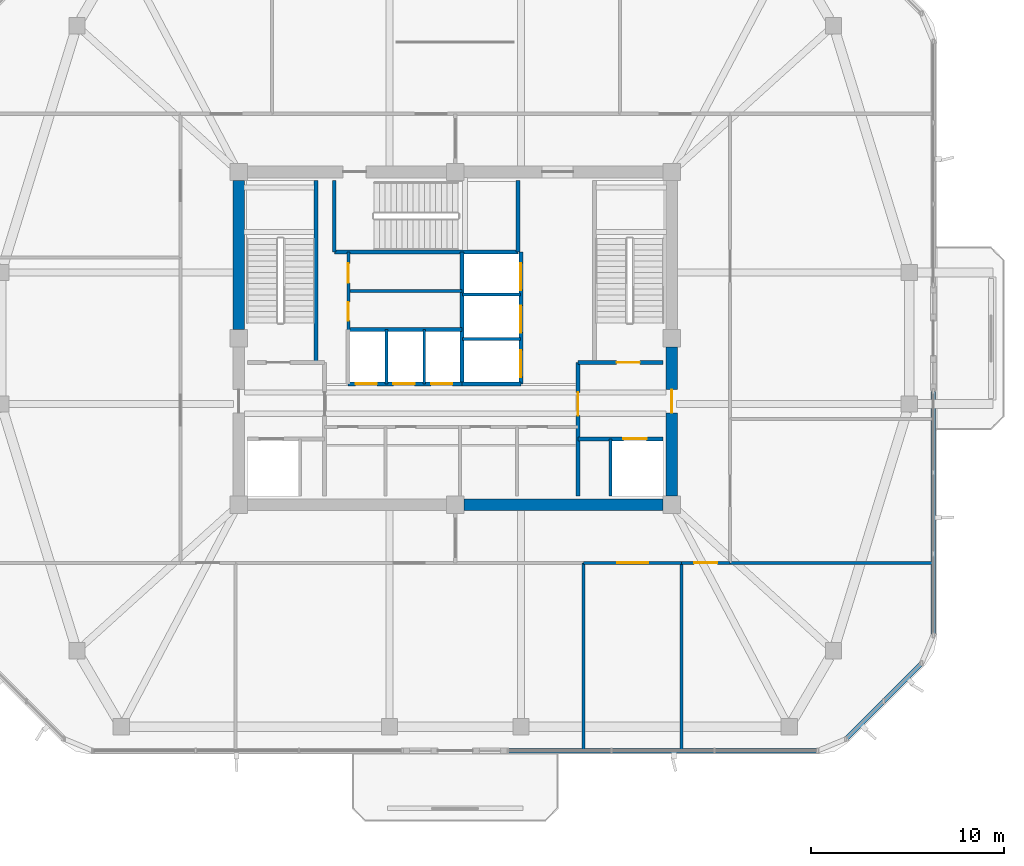
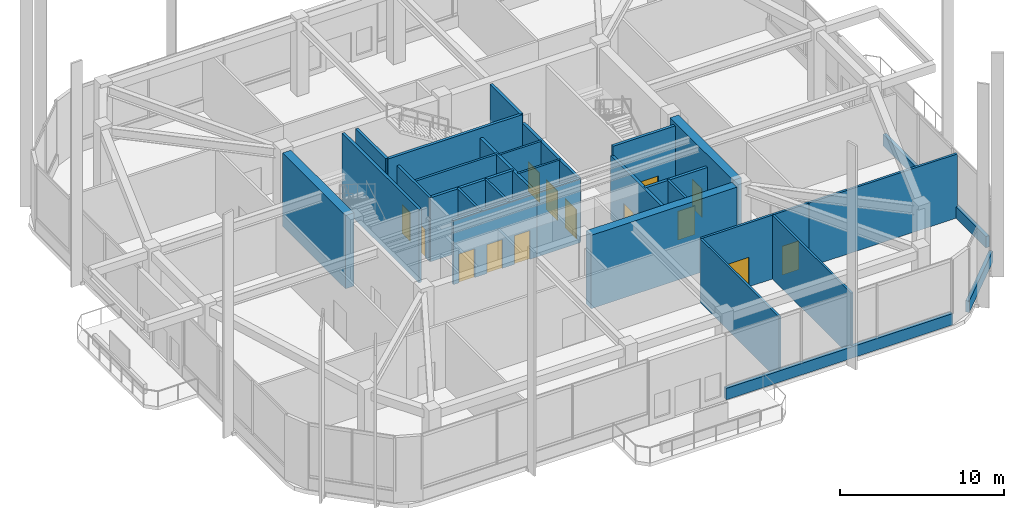
# One storey, part 8 of 14: 30 walls, 14 doors, 14 openings.
"""IFC4 building model written with IfcOpenShell, lengths in metres."""

from ifc_helpers import new_model, si_unit, derived_unit, direction, frame, frame_2d, origin, place, context, subcontext, project, spatial, rectangle, extrude, material, layer, layer_set, type_object, element, fill, save


model = new_model("IFC4")

# Units and contexts
model_context = context("Model", 3, precision=1e-05, world=origin(), true_north=direction((0.0, 1.0)))
body_context = subcontext(model_context, "Body", "Model", "MODEL_VIEW")
ifc_project = project(units=[si_unit("LENGTHUNIT", "METRE"), si_unit("AREAUNIT", "SQUARE_METRE"), si_unit("VOLUMEUNIT", "CUBIC_METRE"), si_unit("PLANEANGLEUNIT", "RADIAN"), si_unit("MASSUNIT", "GRAM", prefix="KILO"), derived_unit("THERMALTRANSMITTANCEUNIT", [(si_unit("POWERUNIT", "WATT"), 1), (si_unit("LENGTHUNIT", "METRE"), -2), (si_unit("THERMODYNAMICTEMPERATUREUNIT", "KELVIN"), -1)])], contexts=[model_context])

# Site, building, storey
site_placement = place(None, origin())
site = spatial("IfcSite", under=ifc_project, at=site_placement, CompositionType="ELEMENT")
building_placement = place(site_placement, origin())
building = spatial("IfcBuilding", under=site, at=building_placement, Name="Koralith Skygarden Medical Center", CompositionType="ELEMENT")
storey_placement = place(building_placement, frame((0.0, 0.0, 237.06005859375)))
storey = spatial("IfcBuildingStorey", under=building, at=storey_placement, Name="L61", CompositionType="ELEMENT", Elevation=237.06005859375)

# Walls
ifc_material_1 = material(Name="Gypsum Board Partition")
ifc_layer_1 = layer(ifc_material_1, 0.14990234375)
ifc_layer_set_1 = layer_set([ifc_layer_1], Name="Gypsum Board Partition")
wall_type_1 = type_object("IfcWallType", Name="Clinical Acoustic Partition 150", PredefinedType="PARTITIONING", material=ifc_layer_set_1)
for number, where, z_axis, x_axis, name in (
    (1, (43.6298828125, 14.2900390625, 0.0), (0.0, 0.0, 1.0), (0.0, -1.0, 0.0), "L61 Clinical Acoustic Partition 150 W-AMPART-L61-S-2"),
    (2, (48.7099609375, 14.2900390625, 0.0), (0.0, 0.0, 1.0), (0.0, -1.0, 0.0), "L61 Clinical Acoustic Partition 150 W-AMPART-L61-S-3"),
):
    element("IfcWall", number, at=place(storey_placement, frame(where, z_axis=z_axis, x_axis=x_axis)), inside=storey, type_object=wall_type_1, Name=name, PredefinedType="PARTITIONING", context=body_context, shape_type="SweptSolid", body=[
        extrude(rectangle(XDim=9.68994140625, YDim=0.14990234375, at=frame_2d((4.844970703125, 0.0))), origin(), (0.0, 0.0, 1.0), 4.77001953125),
    ])
ifc_layer_2 = layer(ifc_material_1, 0.1650390625)
ifc_layer_set_2 = layer_set([ifc_layer_2], Name="Gypsum Board Partition")
wall_type_2 = type_object("IfcWallType", Name="Clinical Corridor Partition 165", PredefinedType="PARTITIONING", material=ifc_layer_set_2)
wall_1_placement = place(storey_placement, frame((51.2099609375, 14.2900390625, 0.0), z_axis=(0.0, 0.0, 1.0), x_axis=(1.0, 0.0, 0.0)))
element("IfcWall", 3, at=wall_1_placement, inside=storey, type_object=wall_type_2, Name="L61 Clinical Corridor Partition 165 W-WB-L61-SE", PredefinedType="PARTITIONING", context=body_context, shape_type="SweptSolid", body=[
    extrude(rectangle(XDim=10.489990234375, YDim=0.1650390625, at=frame_2d((5.2451171875, 0.0))), origin(), (0.0, 0.0, 1.0), 4.77001953125),
])

# Wall, opening, door
wall_2_placement = place(storey_placement, frame((43.6298828125, 14.2900390625, 0.0), z_axis=(0.0, 0.0, 1.0), x_axis=(1.0, 0.0, 0.0)))
wall_2 = element("IfcWall", 4, at=wall_2_placement, inside=storey, type_object=wall_type_2, Name="L61 Clinical Corridor Partition 165 W-AMCOR-L61-S-3", PredefinedType="PARTITIONING", context=body_context, shape_type="SweptSolid", body=[
    extrude(rectangle(XDim=5.080078125, YDim=0.1650390625, at=frame_2d((2.5400390625, 0.0))), origin(), (0.0, 0.0, 1.0), 4.77001953125),
])
opening_1_placement = place(wall_2_placement, frame((1.739990234375, 0.0, 0.0)))
opening_1 = element("IfcOpeningElement", 5, at=opening_1_placement, cuts=wall_2, Name="Opening D-DBL", PredefinedType="OPENING", context=body_context, shape_type="SweptSolid", body=[
    extrude(rectangle(XDim=1.60009765625, YDim=2.199951171875, at=frame_2d((0.800048828125, 1.10009765625))), frame((0.0, 0.092529296875, 0.0), z_axis=(0.0, -1.0, 0.0), x_axis=(1.0, 0.0, 0.0)), (0.0, 0.0, 1.0), 0.18505859375),
])
ifc_material_2 = material(Name="Aluminium 6063-T6", Category="aluminium")
door_type_1 = type_object("IfcDoorType", Name="Double Clinical Suite Door D-DBL 1600", OperationType="NOTDEFINED", PredefinedType="DOOR", material=ifc_material_2)
door_1_placement = place(opening_1_placement, frame((1.60009765625, 0.0, 0.0), z_axis=(0.0, 0.0, 1.0), x_axis=(-1.0, 0.0, 0.0)))
door_1 = element("IfcDoor", 6, at=door_1_placement, inside=storey, type_object=door_type_1, Name="L61 Palliative Family Huddle Room Door", OperationType="DOUBLE_DOOR_SINGLE_SWING", OverallHeight=2.199951171875, OverallWidth=1.60009765625, PredefinedType="DOOR", context=body_context, shape_type="SweptSolid", body=[
    extrude(rectangle(XDim=1.60009765625, YDim=2.199951171875, at=frame_2d((0.800048828125, 1.10009765625))), frame((0.0, 0.02490234375, 0.0), z_axis=(0.0, -1.0, 0.0), x_axis=(1.0, 0.0, 0.0)), (0.0, 0.0, 1.0), 0.050048828125),
])
fill(opening_1, door_1)

wall_3_placement = place(storey_placement, frame((48.7099609375, 14.2900390625, 0.0), z_axis=(0.0, 0.0, 1.0), x_axis=(1.0, 0.0, 0.0)))
wall_3 = element("IfcWall", 7, at=wall_3_placement, inside=storey, type_object=wall_type_2, Name="L61 Clinical Corridor Partition 165 W-AMCOR-L61-S-4", PredefinedType="PARTITIONING", context=body_context, shape_type="SweptSolid", body=[
    extrude(rectangle(XDim=2.5, YDim=0.1650390625, at=frame_2d((1.25, 0.0))), origin(), (0.0, 0.0, 1.0), 4.77001953125),
])
opening_2_placement = place(wall_3_placement, frame((0.64990234375, 0.0, 0.0)))
opening_2 = element("IfcOpeningElement", 8, at=opening_2_placement, cuts=wall_3, Name="Opening D-CLN", PredefinedType="OPENING", context=body_context, shape_type="SweptSolid", body=[
    extrude(rectangle(XDim=1.199951171875, YDim=2.14990234375, at=frame_2d((0.60009765625, 1.074951171875))), frame((0.0, 0.092529296875, 0.0), z_axis=(0.0, -1.0, 0.0), x_axis=(1.0, 0.0, 0.0)), (0.0, 0.0, 1.0), 0.18505859375),
])
door_type_2 = type_object("IfcDoorType", Name="Clinical Corridor Door D-CLN 1200", OperationType="NOTDEFINED", PredefinedType="DOOR", material=ifc_material_2)
door_2_placement = place(opening_2_placement, frame((1.199951171875, 0.0, 0.0), z_axis=(0.0, 0.0, 1.0), x_axis=(-1.0, 0.0, 0.0)))
door_2 = element("IfcDoor", 9, at=door_2_placement, inside=storey, type_object=door_type_2, Name="L61 Public Accessible Restroom WC Door", OperationType="SINGLE_SWING_LEFT", OverallHeight=2.14990234375, OverallWidth=1.199951171875, PredefinedType="DOOR", context=body_context, shape_type="SweptSolid", body=[
    extrude(rectangle(XDim=1.199951171875, YDim=2.14990234375, at=frame_2d((0.60009765625, 1.074951171875))), frame((0.0, 0.02490234375, 0.0), z_axis=(0.0, -1.0, 0.0), x_axis=(1.0, 0.0, 0.0)), (0.0, 0.0, 1.0), 0.050048828125),
])
fill(opening_2, door_2)

ifc_layer_3 = layer(ifc_material_1, 0.199951171875)
ifc_layer_set_3 = layer_set([ifc_layer_3], Name="Gypsum Board Partition")
wall_type_3 = type_object("IfcWallType", Name="Fire Shaft Wall 200", PredefinedType="SOLIDWALL", material=ifc_layer_set_3)
wall_4_placement = place(storey_placement, frame((43.35009765625, 20.699951171875, 0.0), z_axis=(0.0, 0.0, 1.0), x_axis=(1.0, 0.0, 0.0)))
wall_4 = element("IfcWall", 10, at=wall_4_placement, inside=storey, type_object=wall_type_3, Name="L61 Fire Shaft Wall 200 W-CORE-L61-FF2-N", PredefinedType="SOLIDWALL", context=body_context, shape_type="SweptSolid", body=[
    extrude(rectangle(XDim=4.39990234375, YDim=0.199951171875, at=frame_2d((2.199951171875, 0.0))), origin(), (0.0, 0.0, 1.0), 4.77001953125),
])
opening_3_placement = place(wall_4_placement, frame((2.35009765625, 0.0, 0.0)))
opening_3 = element("IfcOpeningElement", 11, at=opening_3_placement, cuts=wall_4, Name="Opening LD-FF", PredefinedType="OPENING", context=body_context, shape_type="SweptSolid", body=[
    extrude(rectangle(XDim=1.199951171875, YDim=2.14990234375, at=frame_2d((0.60009765625, 1.074951171875))), frame((0.0, 0.10986328125, 0.0), z_axis=(0.0, -1.0, 0.0), x_axis=(1.0, 0.0, 0.0)), (0.0, 0.0, 1.0), 0.219970703125),
])
ifc_material_3 = material(Name="Steel ASTM A500 Grade C", Category="steel")
door_type_3 = type_object("IfcDoorType", Name="Fire Lift Sliding Landing Door LD-FF 1200", OperationType="NOTDEFINED", PredefinedType="DOOR", material=ifc_material_3)
door_3_placement = place(opening_3_placement, origin())
door_3 = element("IfcDoor", 12, at=door_3_placement, inside=storey, type_object=door_type_3, Name="L61 Fire Service Elevator FF2 Landing Door", OperationType="SLIDING_TO_RIGHT", OverallHeight=2.14990234375, OverallWidth=1.199951171875, PredefinedType="DOOR", context=body_context, shape_type="SweptSolid", body=[
    extrude(rectangle(XDim=1.199951171875, YDim=2.14990234375, at=frame_2d((0.60009765625, 1.074951171875))), frame((0.0, 0.02490234375, 0.0), z_axis=(0.0, -1.0, 0.0), x_axis=(1.0, 0.0, 0.0)), (0.0, 0.0, 1.0), 0.050048828125),
])
fill(opening_3, door_3)

wall_5_placement = place(storey_placement, frame((43.35009765625, 17.75, 0.0), z_axis=(0.0, 0.0, 1.0), x_axis=(0.0, 1.0, 0.0)))
wall_5 = element("IfcWall", 13, at=wall_5_placement, inside=storey, type_object=wall_type_3, Name="L61 Fire Shaft Wall 200 W-CORE-L61-FSAEE-W", PredefinedType="SOLIDWALL", context=body_context, shape_type="SweptSolid", body=[
    extrude(rectangle(XDim=6.89990234375, YDim=0.199951171875, at=frame_2d((3.449951171875, 0.0))), origin(), (0.0, 0.0, 1.0), 4.77001953125),
])
opening_4_placement = place(wall_5_placement, frame((4.14990234375, 0.0, 0.0)))
opening_4 = element("IfcOpeningElement", 14, at=opening_4_placement, cuts=wall_5, Name="Opening D-ST60", PredefinedType="OPENING", context=body_context, shape_type="SweptSolid", body=[
    extrude(rectangle(XDim=1.199951171875, YDim=2.14990234375, at=frame_2d((0.60009765625, 1.074951171875))), frame((0.0, 0.10986328125, 0.0), z_axis=(0.0, -1.0, 0.0), x_axis=(1.0, 0.0, 0.0)), (0.0, 0.0, 1.0), 0.219970703125),
])
door_type_4 = type_object("IfcDoorType", Name="Smokeproof Stair Fire Door FD60S 1200", OperationType="NOTDEFINED", PredefinedType="DOOR", material=ifc_material_3)
door_4_placement = place(opening_4_placement, frame((1.199951171875, 0.0, 0.0), z_axis=(0.0, 0.0, 1.0), x_axis=(-1.0, 0.0, 0.0)))
door_4 = element("IfcDoor", 15, at=door_4_placement, inside=storey, type_object=door_type_4, Name="L61 East Firefighting Lobby Inner Fire Door", OperationType="SINGLE_SWING_RIGHT", OverallHeight=2.14990234375, OverallWidth=1.199951171875, PredefinedType="DOOR", context=body_context, shape_type="SweptSolid", body=[
    extrude(rectangle(XDim=1.199951171875, YDim=2.14990234375, at=frame_2d((0.60009765625, 1.074951171875))), frame((0.0, 0.02490234375, 0.0), z_axis=(0.0, -1.0, 0.0), x_axis=(1.0, 0.0, 0.0)), (0.0, 0.0, 1.0), 0.050048828125),
])
fill(opening_4, door_4)

# Wall, openings, doors
wall_6_placement = place(storey_placement, frame((31.449951171875, 23.5400390625, 0.0), z_axis=(0.0, 0.0, 1.0), x_axis=(1.0, 0.0, 0.0)))
wall_6 = element("IfcWall", 16, at=wall_6_placement, inside=storey, type_object=wall_type_3, Name="L61 Fire Shaft Wall 200 W-CORE-L61-PH-S", PredefinedType="SOLIDWALL", context=body_context, shape_type="SweptSolid", body=[
    extrude(rectangle(XDim=5.900146484375, YDim=0.199951171875, at=frame_2d((2.9501953125, 0.0))), origin(), (0.0, 0.0, 1.0), 4.77001953125),
])
opening_5_placement = place(wall_6_placement, frame((0.39990234375, 0.0, 0.0)))
opening_5 = element("IfcOpeningElement", 17, at=opening_5_placement, cuts=wall_6, Name="Opening LD-P", PredefinedType="OPENING", context=body_context, shape_type="SweptSolid", body=[
    extrude(rectangle(XDim=1.10009765625, YDim=2.14990234375, at=frame_2d((0.550048828125, 1.074951171875))), frame((0.0, 0.10986328125, 0.0), z_axis=(0.0, -1.0, 0.0), x_axis=(1.0, 0.0, 0.0)), (0.0, 0.0, 1.0), 0.219970703125),
])
opening_6_placement = place(wall_6_placement, frame((2.35009765625, 0.0, 0.0)))
opening_6 = element("IfcOpeningElement", 18, at=opening_6_placement, cuts=wall_6, Name="Opening LD-P", PredefinedType="OPENING", context=body_context, shape_type="SweptSolid", body=[
    extrude(rectangle(XDim=1.10009765625, YDim=2.14990234375, at=frame_2d((0.550048828125, 1.074951171875))), frame((0.0, 0.10986328125, 0.0), z_axis=(0.0, -1.0, 0.0), x_axis=(1.0, 0.0, 0.0)), (0.0, 0.0, 1.0), 0.219970703125),
])
opening_7_placement = place(wall_6_placement, frame((4.300048828125, 0.0, 0.0)))
opening_7 = element("IfcOpeningElement", 19, at=opening_7_placement, cuts=wall_6, Name="Opening LD-P", PredefinedType="OPENING", context=body_context, shape_type="SweptSolid", body=[
    extrude(rectangle(XDim=1.10009765625, YDim=2.14990234375, at=frame_2d((0.550048828125, 1.074951171875))), frame((0.0, 0.10986328125, 0.0), z_axis=(0.0, -1.0, 0.0), x_axis=(1.0, 0.0, 0.0)), (0.0, 0.0, 1.0), 0.219970703125),
])
door_type_5 = type_object("IfcDoorType", Name="Passenger Lift Sliding Landing Door LD-P 1100", OperationType="NOTDEFINED", PredefinedType="DOOR", material=ifc_material_3)
door_5_placement = place(opening_5_placement, origin())
door_5 = element("IfcDoor", 20, at=door_5_placement, inside=storey, type_object=door_type_5, Name="L61 Passenger Elevator PH1 Landing Door", OperationType="SLIDING_TO_RIGHT", OverallHeight=2.14990234375, OverallWidth=1.10009765625, PredefinedType="DOOR", context=body_context, shape_type="SweptSolid", body=[
    extrude(rectangle(XDim=1.10009765625, YDim=2.14990234375, at=frame_2d((0.550048828125, 1.074951171875))), frame((0.0, 0.02490234375, 0.0), z_axis=(0.0, -1.0, 0.0), x_axis=(1.0, 0.0, 0.0)), (0.0, 0.0, 1.0), 0.050048828125),
])
fill(opening_5, door_5)
door_6_placement = place(opening_6_placement, origin())
door_6 = element("IfcDoor", 21, at=door_6_placement, inside=storey, type_object=door_type_5, Name="L61 Passenger Elevator PH2 Landing Door", OperationType="SLIDING_TO_RIGHT", OverallHeight=2.14990234375, OverallWidth=1.10009765625, PredefinedType="DOOR", context=body_context, shape_type="SweptSolid", body=[
    extrude(rectangle(XDim=1.10009765625, YDim=2.14990234375, at=frame_2d((0.550048828125, 1.074951171875))), frame((0.0, 0.02490234375, 0.0), z_axis=(0.0, -1.0, 0.0), x_axis=(1.0, 0.0, 0.0)), (0.0, 0.0, 1.0), 0.050048828125),
])
fill(opening_6, door_6)
door_7_placement = place(opening_7_placement, origin())
door_7 = element("IfcDoor", 22, at=door_7_placement, inside=storey, type_object=door_type_5, Name="L61 Passenger Elevator PH3 Landing Door", OperationType="SLIDING_TO_RIGHT", OverallHeight=2.14990234375, OverallWidth=1.10009765625, PredefinedType="DOOR", context=body_context, shape_type="SweptSolid", body=[
    extrude(rectangle(XDim=1.10009765625, YDim=2.14990234375, at=frame_2d((0.550048828125, 1.074951171875))), frame((0.0, 0.02490234375, 0.0), z_axis=(0.0, -1.0, 0.0), x_axis=(1.0, 0.0, 0.0)), (0.0, 0.0, 1.0), 0.050048828125),
])
fill(opening_7, door_7)

# Walls
wall_7_placement = place(storey_placement, frame((31.449951171875, 26.35009765625, 0.0), z_axis=(0.0, 0.0, 1.0), x_axis=(1.0, 0.0, 0.0)))
element("IfcWall", 23, at=wall_7_placement, inside=storey, type_object=wall_type_3, Name="L61 Fire Shaft Wall 200 W-CORE-L61-PH-N", PredefinedType="SOLIDWALL", context=body_context, shape_type="SweptSolid", body=[
    extrude(rectangle(XDim=5.900146484375, YDim=0.199951171875, at=frame_2d((2.9501953125, 0.0))), origin(), (0.0, 0.0, 1.0), 4.77001953125),
])
wall_8_placement = place(storey_placement, frame((37.35009765625, 23.5400390625, 0.0), z_axis=(0.0, 0.0, 1.0), x_axis=(0.0, 1.0, 0.0)))
element("IfcWall", 24, at=wall_8_placement, inside=storey, type_object=wall_type_3, Name="L61 Fire Shaft Wall 200 W-CORE-L61-SV-W", PredefinedType="SOLIDWALL", context=body_context, shape_type="SweptSolid", body=[
    extrude(rectangle(XDim=6.820068359375, YDim=0.199951171875, at=frame_2d((3.41015625, 0.0))), origin(), (0.0, 0.0, 1.0), 4.77001953125),
])
wall_9_placement = place(storey_placement, frame((37.35009765625, 23.5400390625, 0.0), z_axis=(0.0, 0.0, 1.0), x_axis=(1.0, 0.0, 0.0)))
element("IfcWall", 25, at=wall_9_placement, inside=storey, type_object=wall_type_3, Name="L61 Fire Shaft Wall 200 W-CORE-L61-SV-S", PredefinedType="SOLIDWALL", context=body_context, shape_type="SweptSolid", body=[
    extrude(rectangle(XDim=3.0498046875, YDim=0.199951171875, at=frame_2d((1.52490234375, 0.0))), origin(), (0.0, 0.0, 1.0), 4.77001953125),
])

# Wall, openings, doors
wall_10_placement = place(storey_placement, frame((40.39990234375, 23.5400390625, 0.0), z_axis=(0.0, 0.0, 1.0), x_axis=(0.0, 1.0, 0.0)))
wall_10 = element("IfcWall", 26, at=wall_10_placement, inside=storey, type_object=wall_type_3, Name="L61 Fire Shaft Wall 200 W-CORE-L61-SV-E", PredefinedType="SOLIDWALL", context=body_context, shape_type="SweptSolid", body=[
    extrude(rectangle(XDim=6.820068359375, YDim=0.199951171875, at=frame_2d((3.41015625, 0.0))), origin(), (0.0, 0.0, 1.0), 4.77001953125),
])
opening_8_placement = place(wall_10_placement, frame((0.35009765625, 0.0, 0.0)))
opening_8 = element("IfcOpeningElement", 27, at=opening_8_placement, cuts=wall_10, Name="Opening LD-SV", PredefinedType="OPENING", context=body_context, shape_type="SweptSolid", body=[
    extrude(rectangle(XDim=1.39990234375, YDim=2.199951171875, at=frame_2d((0.699951171875, 1.10009765625))), frame((0.0, 0.10986328125, 0.0), z_axis=(0.0, -1.0, 0.0), x_axis=(1.0, 0.0, 0.0)), (0.0, 0.0, 1.0), 0.219970703125),
])
opening_9_placement = place(wall_10_placement, frame((2.64990234375, 0.0, 0.0)))
opening_9 = element("IfcOpeningElement", 28, at=opening_9_placement, cuts=wall_10, Name="Opening LD-SV", PredefinedType="OPENING", context=body_context, shape_type="SweptSolid", body=[
    extrude(rectangle(XDim=1.39990234375, YDim=2.199951171875, at=frame_2d((0.699951171875, 1.10009765625))), frame((0.0, 0.10986328125, 0.0), z_axis=(0.0, -1.0, 0.0), x_axis=(1.0, 0.0, 0.0)), (0.0, 0.0, 1.0), 0.219970703125),
])
opening_10_placement = place(wall_10_placement, frame((4.85009765625, 0.0, 0.0)))
opening_10 = element("IfcOpeningElement", 29, at=opening_10_placement, cuts=wall_10, Name="Opening LD-SV", PredefinedType="OPENING", context=body_context, shape_type="SweptSolid", body=[
    extrude(rectangle(XDim=1.39990234375, YDim=2.199951171875, at=frame_2d((0.699951171875, 1.10009765625))), frame((0.0, 0.10986328125, 0.0), z_axis=(0.0, -1.0, 0.0), x_axis=(1.0, 0.0, 0.0)), (0.0, 0.0, 1.0), 0.219970703125),
])
door_type_6 = type_object("IfcDoorType", Name="Bed Lift Sliding Landing Door LD-SV 1400", OperationType="NOTDEFINED", PredefinedType="DOOR", material=ifc_material_3)
door_8_placement = place(opening_8_placement, origin())
door_8 = element("IfcDoor", 30, at=door_8_placement, inside=storey, type_object=door_type_6, Name="L61 Bed Elevator BD1 Landing Door", OperationType="SLIDING_TO_LEFT", OverallHeight=2.199951171875, OverallWidth=1.39990234375, PredefinedType="DOOR", context=body_context, shape_type="SweptSolid", body=[
    extrude(rectangle(XDim=1.39990234375, YDim=2.199951171875, at=frame_2d((0.699951171875, 1.10009765625))), frame((0.0, 0.02490234375, 0.0), z_axis=(0.0, -1.0, 0.0), x_axis=(1.0, 0.0, 0.0)), (0.0, 0.0, 1.0), 0.050048828125),
])
fill(opening_8, door_8)
door_9_placement = place(opening_9_placement, origin())
door_9 = element("IfcDoor", 31, at=door_9_placement, inside=storey, type_object=door_type_6, Name="L61 Service Elevator BD2 Landing Door", OperationType="SLIDING_TO_LEFT", OverallHeight=2.199951171875, OverallWidth=1.39990234375, PredefinedType="DOOR", context=body_context, shape_type="SweptSolid", body=[
    extrude(rectangle(XDim=1.39990234375, YDim=2.199951171875, at=frame_2d((0.699951171875, 1.10009765625))), frame((0.0, 0.02490234375, 0.0), z_axis=(0.0, -1.0, 0.0), x_axis=(1.0, 0.0, 0.0)), (0.0, 0.0, 1.0), 0.050048828125),
])
fill(opening_9, door_9)
door_10_placement = place(opening_10_placement, origin())
door_10 = element("IfcDoor", 32, at=door_10_placement, inside=storey, type_object=door_type_6, Name="L61 Trauma Elevator TR1 Landing Door", OperationType="SLIDING_TO_RIGHT", OverallHeight=2.199951171875, OverallWidth=1.39990234375, PredefinedType="DOOR", context=body_context, shape_type="SweptSolid", body=[
    extrude(rectangle(XDim=1.39990234375, YDim=2.199951171875, at=frame_2d((0.699951171875, 1.10009765625))), frame((0.0, 0.02490234375, 0.0), z_axis=(0.0, -1.0, 0.0), x_axis=(1.0, 0.0, 0.0)), (0.0, 0.0, 1.0), 0.050048828125),
])
fill(opening_10, door_10)

# Walls
ifc_material_4 = material(Name="Warm Oolitic Limestone Cladding", Category="masonry")
ifc_layer_4 = layer(ifc_material_4, 0.239990234375)
ifc_layer_set_4 = layer_set([ifc_layer_4], Name="Warm Oolitic Limestone Cladding")
wall_type_4 = type_object("IfcWallType", Name="Limestone Spandrel Sill Backup Wall 240", PredefinedType="SOLIDWALL", material=ifc_layer_set_4)
wall_11_placement = place(storey_placement, frame((39.739013671875, 4.580078125, 0.0), z_axis=(0.0, 0.0, 1.0), x_axis=(1.0, 0.0, 0.0)))
element("IfcWall", 33, at=wall_11_placement, inside=storey, type_object=wall_type_4, Name="L61 Sill Spandrel S-R", PredefinedType="SOLIDWALL", context=body_context, shape_type="SweptSolid", body=[
    extrude(rectangle(XDim=16.006103515625, YDim=0.239990234375, at=frame_2d((8.0029296875, 0.0))), origin(), (0.0, 0.0, 1.0), 0.849853515625),
])
wall_12_placement = place(storey_placement, frame((57.196044921875, 5.180908203125, 0.0), z_axis=(0.0, 0.0, 1.0), x_axis=(0.707084777957, 0.707128783731, 0.0)))
element("IfcWall", 34, at=wall_12_placement, inside=storey, type_object=wall_type_4, Name="L61 Sill Spandrel SE", PredefinedType="SOLIDWALL", context=body_context, shape_type="SweptSolid", body=[
    extrude(rectangle(XDim=5.5478515625, YDim=0.239990234375, at=frame_2d((2.77392578125, 0.0))), origin(), (0.0, 0.0, 1.0), 0.849853515625),
])
wall_13_placement = place(storey_placement, frame((61.719970703125, 10.554931640625, 0.0), z_axis=(0.0, 0.0, 1.0), x_axis=(0.0, 1.0, 0.0)))
element("IfcWall", 35, at=wall_13_placement, inside=storey, type_object=wall_type_4, Name="L61 Sill Spandrel E-L", PredefinedType="SOLIDWALL", context=body_context, shape_type="SweptSolid", body=[
    extrude(rectangle(XDim=12.60498046875, YDim=0.239990234375, at=frame_2d((6.302490234375, 0.0))), origin(), (0.0, 0.0, 1.0), 0.849853515625),
])

# Wall, openings, doors
ifc_layer_5 = layer(ifc_material_1, 0.1650390625)
ifc_layer_set_5 = layer_set([ifc_layer_5], Name="Gypsum Board Partition")
wall_type_5 = type_object("IfcWallType", Name="Plumbing Wet Wall 165", PredefinedType="PLUMBINGWALL", material=ifc_layer_set_5)
wall_14_placement = place(storey_placement, frame((31.47998046875, 26.320068359375, 0.0), z_axis=(0.0, 0.0, 1.0), x_axis=(0.0, 1.0, 0.0)))
wall_14 = element("IfcWall", 36, at=wall_14_placement, inside=storey, type_object=wall_type_5, Name="L61 Plumbing Wet Wall 165 W-CORE-L61-FLEX-W", PredefinedType="PLUMBINGWALL", context=body_context, shape_type="SweptSolid", body=[
    extrude(rectangle(XDim=4.0400390625, YDim=0.1650390625, at=frame_2d((2.02001953125, 0.0))), origin(), (0.0, 0.0, 1.0), 4.77001953125),
])
opening_11_placement = place(wall_14_placement, frame((0.5, 0.0, 0.0)))
opening_11 = element("IfcOpeningElement", 37, at=opening_11_placement, cuts=wall_14, Name="Opening D-WC", PredefinedType="OPENING", context=body_context, shape_type="SweptSolid", body=[
    extrude(rectangle(XDim=0.949951171875, YDim=2.10009765625, at=frame_2d((0.47509765625, 1.050048828125))), frame((0.0, 0.092529296875, 0.0), z_axis=(0.0, -1.0, 0.0), x_axis=(1.0, 0.0, 0.0)), (0.0, 0.0, 1.0), 0.18505859375),
])
opening_12_placement = place(wall_14_placement, frame((2.449951171875, 0.0, 0.0)))
opening_12 = element("IfcOpeningElement", 38, at=opening_12_placement, cuts=wall_14, Name="Opening D-SUP", PredefinedType="OPENING", context=body_context, shape_type="SweptSolid", body=[
    extrude(rectangle(XDim=1.0, YDim=2.14990234375, at=frame_2d((0.5, 1.074951171875))), frame((0.0, 0.092529296875, 0.0), z_axis=(0.0, -1.0, 0.0), x_axis=(1.0, 0.0, 0.0)), (0.0, 0.0, 1.0), 0.18505859375),
])
door_type_7 = type_object("IfcDoorType", Name="Accessible Toilet Door D-WC 950", OperationType="NOTDEFINED", PredefinedType="DOOR", material=ifc_material_2)
door_11_placement = place(opening_11_placement, frame((0.949951171875, 0.0, 0.0), z_axis=(0.0, 0.0, 1.0), x_axis=(-1.0, 0.0, 0.0)))
door_11 = element("IfcDoor", 39, at=door_11_placement, inside=storey, type_object=door_type_7, Name="L61 Core Accessible WC Door", OperationType="SINGLE_SWING_LEFT", OverallHeight=2.10009765625, OverallWidth=0.949951171875, PredefinedType="DOOR", context=body_context, shape_type="SweptSolid", body=[
    extrude(rectangle(XDim=0.949951171875, YDim=2.10009765625, at=frame_2d((0.47509765625, 1.050048828125))), frame((0.0, 0.02490234375, 0.0), z_axis=(0.0, -1.0, 0.0), x_axis=(1.0, 0.0, 0.0)), (0.0, 0.0, 1.0), 0.050048828125),
])
fill(opening_11, door_11)
door_type_8 = type_object("IfcDoorType", Name="Clinical Support Door D-SUP 1000", OperationType="NOTDEFINED", PredefinedType="DOOR", material=ifc_material_2)
door_12_placement = place(opening_12_placement, frame((1.0, 0.0, 0.0), z_axis=(0.0, 0.0, 1.0), x_axis=(-1.0, 0.0, 0.0)))
door_12 = element("IfcDoor", 40, at=door_12_placement, inside=storey, type_object=door_type_8, Name="L61 Core Clean Utility Door", OperationType="SINGLE_SWING_RIGHT", OverallHeight=2.14990234375, OverallWidth=1.0, PredefinedType="DOOR", context=body_context, shape_type="SweptSolid", body=[
    extrude(rectangle(XDim=1.0, YDim=2.14990234375, at=frame_2d((0.5, 1.074951171875))), frame((0.0, 0.02490234375, 0.0), z_axis=(0.0, -1.0, 0.0), x_axis=(1.0, 0.0, 0.0)), (0.0, 0.0, 1.0), 0.050048828125),
])
fill(opening_12, door_12)

# Walls
wall_15_placement = place(storey_placement, frame((31.47998046875, 28.340087890625, 0.0), z_axis=(0.0, 0.0, 1.0), x_axis=(1.0, 0.0, 0.0)))
element("IfcWall", 41, at=wall_15_placement, inside=storey, type_object=wall_type_5, Name="L61 Plumbing Wet Wall 165 W-CORE-L61-FLEX-H0", PredefinedType="PLUMBINGWALL", context=body_context, shape_type="SweptSolid", body=[
    extrude(rectangle(XDim=5.8701171875, YDim=0.1650390625, at=frame_2d((2.93505859375, 0.0))), origin(), (0.0, 0.0, 1.0), 4.77001953125),
])
ifc_layer_6 = layer(ifc_material_1, 0.14990234375)
ifc_layer_set_6 = layer_set([ifc_layer_6], Name="Gypsum Board Partition")
wall_type_6 = type_object("IfcWallType", Name="Shaft Partition Wall 150", PredefinedType="PARTITIONING", material=ifc_layer_set_6)
wall_16_placement = place(storey_placement, frame((45.02001953125, 17.75, 0.0), z_axis=(0.0, 0.0, 1.0), x_axis=(0.0, 1.0, 0.0)))
element("IfcWall", 42, at=wall_16_placement, inside=storey, type_object=wall_type_6, Name="L61 Shaft Partition Wall 150 W-CORE-L61-RSRE-DIV", PredefinedType="PARTITIONING", context=body_context, shape_type="SweptSolid", body=[
    extrude(rectangle(XDim=2.949951171875, YDim=0.14990234375, at=frame_2d((1.47509765625, 0.0))), origin(), (0.0, 0.0, 1.0), 4.77001953125),
])
for number, where, z_axis, x_axis, name in (
    (43, (33.449951171875, 23.5400390625, 0.0), (0.0, 0.0, 1.0), (0.0, 1.0, 0.0), "L61 Shaft Partition Wall 150 W-CORE-L61-PH-D1"),
    (44, (35.39990234375, 23.5400390625, 0.0), (0.0, 0.0, 1.0), (0.0, 1.0, 0.0), "L61 Shaft Partition Wall 150 W-CORE-L61-PH-D2"),
):
    element("IfcWall", number, at=place(storey_placement, frame(where, z_axis=z_axis, x_axis=x_axis)), inside=storey, type_object=wall_type_6, Name=name, PredefinedType="PARTITIONING", context=body_context, shape_type="SweptSolid", body=[
        extrude(rectangle(XDim=2.81005859375, YDim=0.14990234375, at=frame_2d((1.405029296875, 0.0))), origin(), (0.0, 0.0, 1.0), 4.77001953125),
    ])
for number, where, z_axis, x_axis, name in (
    (45, (37.3701171875, 25.8701171875, 0.0), (0.0, 0.0, 1.0), (1.0, 0.0, 0.0), "L61 Shaft Partition Wall 150 W-CORE-L61-SV-D1"),
    (46, (37.3701171875, 28.169921875, 0.0), (0.0, 0.0, 1.0), (1.0, 0.0, 0.0), "L61 Shaft Partition Wall 150 W-CORE-L61-SV-D2"),
):
    element("IfcWall", number, at=place(storey_placement, frame(where, z_axis=z_axis, x_axis=x_axis)), inside=storey, type_object=wall_type_6, Name=name, PredefinedType="PARTITIONING", context=body_context, shape_type="SweptSolid", body=[
        extrude(rectangle(XDim=3.009765625, YDim=0.14990234375, at=frame_2d((1.5048828125, 0.0))), origin(), (0.0, 0.0, 1.0), 4.77001953125),
    ])
ifc_material_5 = material(Name="Concrete C45/55", Category="concrete")
ifc_layer_7 = layer(ifc_material_5, 0.199951171875)
ifc_layer_set_7 = layer_set([ifc_layer_7], Name="Concrete C45/55")
wall_type_7 = type_object("IfcWallType", Name="Structural Stair Shaft Wall 200", PredefinedType="SHEAR", material=ifc_layer_set_7)
wall_17_placement = place(storey_placement, frame((29.800048828125, 24.64990234375, 0.0), z_axis=(0.0, 0.0, 1.0), x_axis=(0.0, 1.0, 0.0)))
element("IfcWall", 47, at=wall_17_placement, inside=storey, type_object=wall_type_7, Name="L61 Structural Stair Shaft Wall 200 W-CORE-L61-ST1-E", PredefinedType="SHEAR", context=body_context, shape_type="SweptSolid", body=[
    extrude(rectangle(XDim=9.400146484375, YDim=0.199951171875, at=frame_2d((4.7001953125, 0.0))), origin(), (0.0, 0.0, 1.0), 5.47998046875),
])

# Wall, opening, door
wall_18_placement = place(storey_placement, frame((43.35009765625, 24.64990234375, 0.0), z_axis=(0.0, 0.0, 1.0), x_axis=(1.0, 0.0, 0.0)))
wall_18 = element("IfcWall", 48, at=wall_18_placement, inside=storey, type_object=wall_type_7, Name="L61 Structural Stair Shaft Wall 200 W-CORE-L61-ST2-S", PredefinedType="SHEAR", context=body_context, shape_type="SweptSolid", body=[
    extrude(rectangle(XDim=4.39990234375, YDim=0.199951171875, at=frame_2d((2.199951171875, 0.0))), origin(), (0.0, 0.0, 1.0), 5.47998046875),
])
opening_13_placement = place(wall_18_placement, frame((2.0, 0.0, 0.0)))
opening_13 = element("IfcOpeningElement", 49, at=opening_13_placement, cuts=wall_18, Name="Opening D-ST60", PredefinedType="OPENING", context=body_context, shape_type="SweptSolid", body=[
    extrude(rectangle(XDim=1.199951171875, YDim=2.14990234375, at=frame_2d((0.60009765625, 1.074951171875))), frame((0.0, 0.10986328125, 0.0), z_axis=(0.0, -1.0, 0.0), x_axis=(1.0, 0.0, 0.0)), (0.0, 0.0, 1.0), 0.219970703125),
])
door_13_placement = place(opening_13_placement, origin())
door_13 = element("IfcDoor", 50, at=door_13_placement, inside=storey, type_object=door_type_4, Name="L61 Exit Stair ST2 Fire Door", OperationType="SINGLE_SWING_RIGHT", OverallHeight=2.14990234375, OverallWidth=1.199951171875, PredefinedType="DOOR", context=body_context, shape_type="SweptSolid", body=[
    extrude(rectangle(XDim=1.199951171875, YDim=2.14990234375, at=frame_2d((0.60009765625, 1.074951171875))), frame((0.0, 0.02490234375, 0.0), z_axis=(0.0, -1.0, 0.0), x_axis=(1.0, 0.0, 0.0)), (0.0, 0.0, 1.0), 0.050048828125),
])
fill(opening_13, door_13)

# Walls
wall_19_placement = place(storey_placement, frame((30.75, 30.360107421875, 0.0), z_axis=(0.0, 0.0, 1.0), x_axis=(1.0, 0.0, 0.0)))
element("IfcWall", 51, at=wall_19_placement, inside=storey, type_object=wall_type_7, Name="L61 Structural Stair Shaft Wall 200 W-CORE-L61-ST3-S", PredefinedType="SHEAR", context=body_context, shape_type="SweptSolid", body=[
    extrude(rectangle(XDim=9.5, YDim=0.199951171875, at=frame_2d((4.75, 0.0))), origin(), (0.0, 0.0, 1.0), 5.47998046875),
])
for number, where, z_axis, x_axis, name in (
    (52, (30.75, 30.360107421875, 0.0), (0.0, 0.0, 1.0), (0.0, 1.0, 0.0), "L61 Structural Stair Shaft Wall 200 W-CORE-L61-ST3-W"),
    (53, (40.25, 30.360107421875, 0.0), (0.0, 0.0, 1.0), (0.0, 1.0, 0.0), "L61 Structural Stair Shaft Wall 200 W-CORE-L61-ST3-E"),
):
    element("IfcWall", number, at=place(storey_placement, frame(where, z_axis=z_axis, x_axis=x_axis)), inside=storey, type_object=wall_type_7, Name=name, PredefinedType="SHEAR", context=body_context, shape_type="SweptSolid", body=[
        extrude(rectangle(XDim=3.68994140625, YDim=0.199951171875, at=frame_2d((1.844970703125, 0.0))), origin(), (0.0, 0.0, 1.0), 5.47998046875),
    ])
ifc_material_6 = material(Name="Concrete C55/67", Category="concrete")
ifc_layer_8 = layer(ifc_material_6, 0.60009765625)
ifc_layer_set_8 = layer_set([ifc_layer_8], Name="Concrete C55/67")
wall_type_8 = type_object("IfcWallType", Name="Upper Core Shear Wall 600", PredefinedType="SHEAR", material=ifc_layer_set_8)
wall_20_placement = place(storey_placement, frame((37.445068359375, 17.300048828125, 0.0), z_axis=(0.0, 0.0, 1.0), x_axis=(1.0, 0.0, 0.0)))
element("IfcWall", 54, at=wall_20_placement, inside=storey, type_object=wall_type_8, Name="L61 Core Shear Wall Segment 2", PredefinedType="SHEAR", context=body_context, shape_type="SweptSolid", body=[
    extrude(rectangle(XDim=10.309814453125, YDim=0.60009765625, at=frame_2d((5.15478515625, 0.0))), origin(), (0.0, 0.0, 1.0), 5.47998046875),
])

# Wall, opening, door
wall_21_placement = place(storey_placement, frame((48.199951171875, 17.7451171875, 0.0), z_axis=(0.0, 0.0, 1.0), x_axis=(0.0, 1.0, 0.0)))
wall_21 = element("IfcWall", 55, at=wall_21_placement, inside=storey, type_object=wall_type_8, Name="L61 Core Shear Wall Segment 3", PredefinedType="SHEAR", context=body_context, shape_type="SweptSolid", body=[
    extrude(rectangle(XDim=7.7099609375, YDim=0.60009765625, at=frame_2d((3.85498046875, 0.0))), origin(), (0.0, 0.0, 1.0), 5.47998046875),
])
opening_14_placement = place(wall_21_placement, frame((4.304931640625, 0.0, 0.0)))
opening_14 = element("IfcOpeningElement", 56, at=opening_14_placement, cuts=wall_21, Name="Opening D-ST60", PredefinedType="OPENING", context=body_context, shape_type="SweptSolid", body=[
    extrude(rectangle(XDim=1.199951171875, YDim=2.14990234375, at=frame_2d((0.60009765625, 1.074951171875))), frame((0.0, 0.31005859375, 0.0), z_axis=(0.0, -1.0, 0.0), x_axis=(1.0, 0.0, 0.0)), (0.0, 0.0, 1.0), 0.6201171875),
])
door_14_placement = place(opening_14_placement, frame((1.199951171875, 0.0, 0.0), z_axis=(0.0, 0.0, 1.0), x_axis=(-1.0, 0.0, 0.0)))
door_14 = element("IfcDoor", 57, at=door_14_placement, inside=storey, type_object=door_type_4, Name="L61 East Corridor to Firefighting Lobby Door", OperationType="SINGLE_SWING_RIGHT", OverallHeight=2.14990234375, OverallWidth=1.199951171875, PredefinedType="DOOR", context=body_context, shape_type="SweptSolid", body=[
    extrude(rectangle(XDim=1.199951171875, YDim=2.14990234375, at=frame_2d((0.60009765625, 1.074951171875))), frame((0.0, 0.02490234375, 0.0), z_axis=(0.0, -1.0, 0.0), x_axis=(1.0, 0.0, 0.0)), (0.0, 0.0, 1.0), 0.050048828125),
])
fill(opening_14, door_14)

# Wall
wall_22_placement = place(storey_placement, frame((25.800048828125, 34.054931640625, 0.0), z_axis=(0.0, 0.0, 1.0), x_axis=(0.0, -1.0, 0.0)))
element("IfcWall", 58, at=wall_22_placement, inside=storey, type_object=wall_type_8, Name="L61 Core Shear Wall Segment 7", PredefinedType="SHEAR", context=body_context, shape_type="SweptSolid", body=[
    extrude(rectangle(XDim=7.7099609375, YDim=0.60009765625, at=frame_2d((3.85498046875, 0.0))), origin(), (0.0, 0.0, 1.0), 5.47998046875),
])

save(model, "model.ifc")
